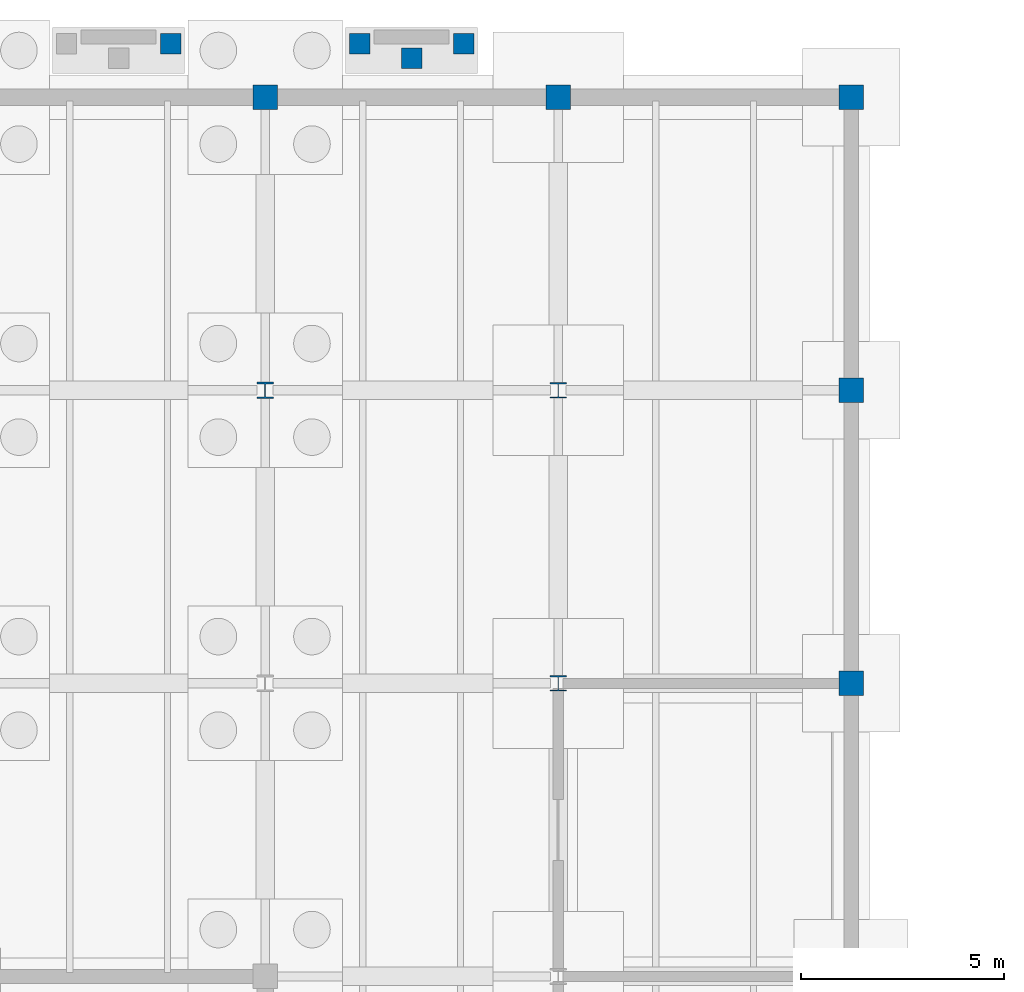
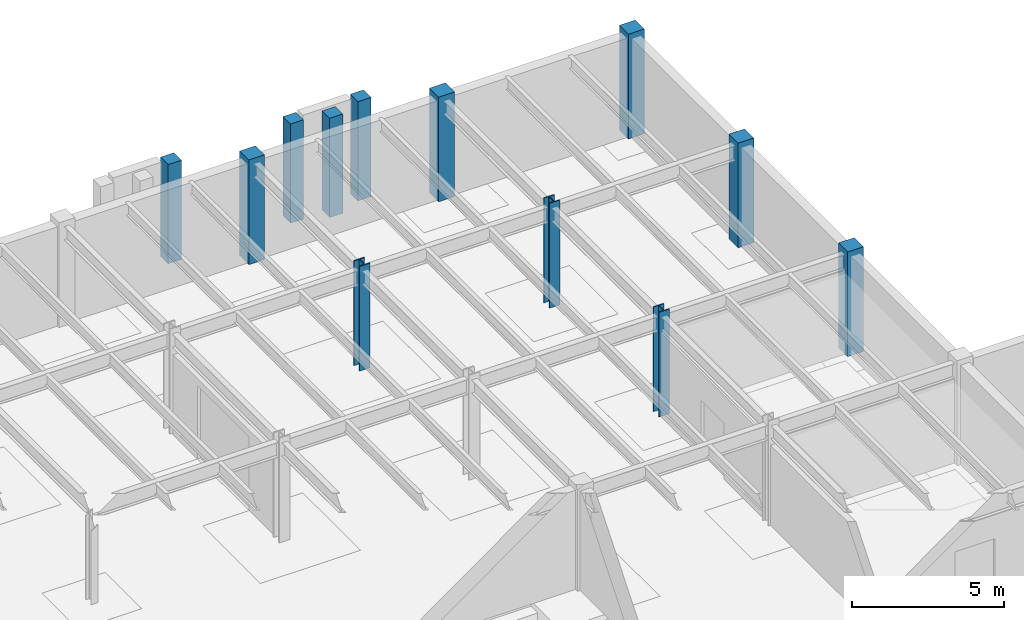
# One storey, part 19 of 46: 12 columns.
"""IFC4 building model written with IfcOpenShell, lengths in metres."""

from ifc_helpers import new_model, si_unit, direction, frame, origin, origin_2d, place, context, subcontext, project, spatial, rectangle, i_section, extrude, material, material_profile, profile_set, type_object, element, save


model = new_model("IFC4")

# Units and contexts
model_context = context("Model", 3, precision=1e-05, world=origin(), true_north=direction((0.0, 1.0)))
body_context = subcontext(model_context, "Body", "Model", "MODEL_VIEW")
ifc_project = project(units=[si_unit("LENGTHUNIT", "METRE"), si_unit("AREAUNIT", "SQUARE_METRE"), si_unit("VOLUMEUNIT", "CUBIC_METRE"), si_unit("PLANEANGLEUNIT", "RADIAN"), si_unit("MASSUNIT", "GRAM", prefix="KILO")], contexts=[model_context])

# Site, building, storey
site_placement = place(None, origin())
site = spatial("IfcSite", under=ifc_project, at=site_placement, CompositionType="ELEMENT")
building_placement = place(site_placement, origin())
building = spatial("IfcBuilding", under=site, at=building_placement, Name="Sillqori Civic Hall", CompositionType="ELEMENT")
storey_placement = place(building_placement, frame((0.0, 0.0, -4.199951171875)))
storey = spatial("IfcBuildingStorey", under=building, at=storey_placement, Name="B01", CompositionType="ELEMENT", Elevation=-4.199951171875)

# Columns
ifc_material_1 = material(Name="Concrete C35/45 (H35)", Category="concrete")
ifc_material_profile_1 = material_profile(ifc_material_1, rectangle(XDim=0.5, YDim=0.5, at=origin_2d()), Name="RC 500x500")
ifc_profile_set_1 = profile_set([ifc_material_profile_1], Name="Concrete C35/45 (H35)")
column_type_1 = type_object("IfcColumnType", Name="COL-RC500", PredefinedType="COLUMN", material=ifc_profile_set_1)
for number, where, z_axis, x_axis, name in (
    (1, (98.47998046875, 116.52001953125, 0.0), (0.0, 0.0, 1.0), (1.0, 0.0, 0.0), "North Civic Garden Core C8 Exit subgrade pier 2"),
    (2, (103.1201171875, 116.52001953125, 0.0), (0.0, 0.0, 1.0), (1.0, 0.0, 0.0), "North Civic Garden East Exit subgrade pier 1"),
    (3, (105.679931640625, 116.52001953125, 0.0), (0.0, 0.0, 1.0), (1.0, 0.0, 0.0), "North Civic Garden East Exit subgrade pier 2"),
    (4, (104.39990234375, 116.159912109375, 0.0), (0.0, 0.0, 1.0), (1.0, 0.0, 0.0), "North Civic Garden East Exit subgrade pier 3"),
):
    element("IfcColumn", number, at=place(storey_placement, frame(where, z_axis=z_axis, x_axis=x_axis)), inside=storey, type_object=column_type_1, Name=name, PredefinedType="COLUMN", context=body_context, shape_type="SweptSolid", body=[
        extrude(rectangle(XDim=0.5, YDim=0.5, at=origin_2d()), origin(), (0.0, 0.0, 1.0), 3.97998046875),
    ])
ifc_material_profile_2 = material_profile(ifc_material_1, rectangle(XDim=0.60009765625, YDim=0.60009765625, at=origin_2d()), Name="RC 600x600")
ifc_profile_set_2 = profile_set([ifc_material_profile_2], Name="Concrete C35/45 (H35)")
column_type_2 = type_object("IfcColumnType", Name="COL-RC600", PredefinedType="COLUMN", material=ifc_profile_set_2)
for number, where, z_axis, x_axis, name in (
    (5, (100.800048828125, 115.199951171875, 0.0), (0.0, 0.0, 1.0), (1.0, 0.0, 0.0), "B01 column 14-16"),
    (6, (108.0, 115.199951171875, 0.0), (0.0, 0.0, 1.0), (1.0, 0.0, 0.0), "B01 column 15-16"),
    (7, (115.199951171875, 100.800048828125, 0.0), (0.0, 0.0, 1.0), (1.0, 0.0, 0.0), "B01 column 16-14"),
    (8, (115.199951171875, 108.0, 0.0), (0.0, 0.0, 1.0), (1.0, 0.0, 0.0), "B01 column 16-15"),
    (9, (115.199951171875, 115.199951171875, 0.0), (0.0, 0.0, 1.0), (1.0, 0.0, 0.0), "B01 column 16-16"),
):
    element("IfcColumn", number, at=place(storey_placement, frame(where, z_axis=z_axis, x_axis=x_axis)), inside=storey, type_object=column_type_2, Name=name, PredefinedType="COLUMN", context=body_context, shape_type="SweptSolid", body=[
        extrude(rectangle(XDim=0.60009765625, YDim=0.60009765625, at=origin_2d()), origin(), (0.0, 0.0, 1.0), 4.199951171875),
    ])
ifc_material_2 = material(Name="Steel ASTM A992", Category="steel")
ifc_material_profile_3 = material_profile(ifc_material_2, i_section(OverallWidth=0.39892578125, OverallDepth=0.385986328125, WebThickness=0.02099609375, FlangeThickness=0.033203125, FilletRadius=0.014892578125, at=origin_2d()), Name="W14X176")
ifc_profile_set_3 = profile_set([ifc_material_profile_3], Name="Steel ASTM A992")
column_type_3 = type_object("IfcColumnType", Name="COL-W14X176", PredefinedType="COLUMN", material=ifc_profile_set_3)
for number, where, z_axis, x_axis, name in (
    (10, (108.0, 100.800048828125, 0.0), (0.0, 0.0, 1.0), (1.0, 0.0, 0.0), "B01 column 15-14"),
    (11, (108.0, 108.0, 0.0), (0.0, 0.0, 1.0), (1.0, 0.0, 0.0), "B01 column 15-15"),
):
    element("IfcColumn", number, at=place(storey_placement, frame(where, z_axis=z_axis, x_axis=x_axis)), inside=storey, type_object=column_type_3, Name=name, PredefinedType="COLUMN", context=body_context, shape_type="SweptSolid", body=[
        extrude(i_section(OverallWidth=0.39892578125, OverallDepth=0.385986328125, WebThickness=0.02099609375, FlangeThickness=0.033203125, FilletRadius=0.014892578125, at=origin_2d()), origin(), (0.0, 0.0, 1.0), 4.199951171875),
    ])
ifc_material_profile_4 = material_profile(ifc_material_2, i_section(OverallWidth=0.404052734375, OverallDepth=0.406005859375, WebThickness=0.027099609375, FlangeThickness=0.043701171875, FilletRadius=0.014892578125, at=origin_2d()), Name="W14X233")
ifc_profile_set_4 = profile_set([ifc_material_profile_4], Name="Steel ASTM A992")
column_type_4 = type_object("IfcColumnType", Name="COL-W14X233", PredefinedType="COLUMN", material=ifc_profile_set_4)
column_placement = place(storey_placement, frame((100.800048828125, 108.0, 0.0), z_axis=(0.0, 0.0, 1.0), x_axis=(1.0, 0.0, 0.0)))
element("IfcColumn", 12, at=column_placement, inside=storey, type_object=column_type_4, Name="B01 column 14-15", PredefinedType="COLUMN", context=body_context, shape_type="SweptSolid", body=[
    extrude(i_section(OverallWidth=0.404052734375, OverallDepth=0.406005859375, WebThickness=0.027099609375, FlangeThickness=0.043701171875, FilletRadius=0.014892578125, at=origin_2d()), origin(), (0.0, 0.0, 1.0), 4.199951171875),
])

save(model, "model.ifc")
